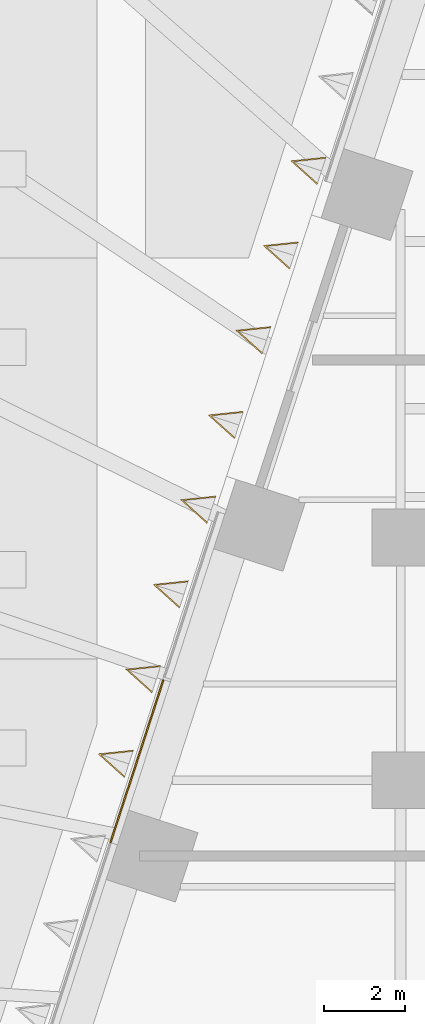
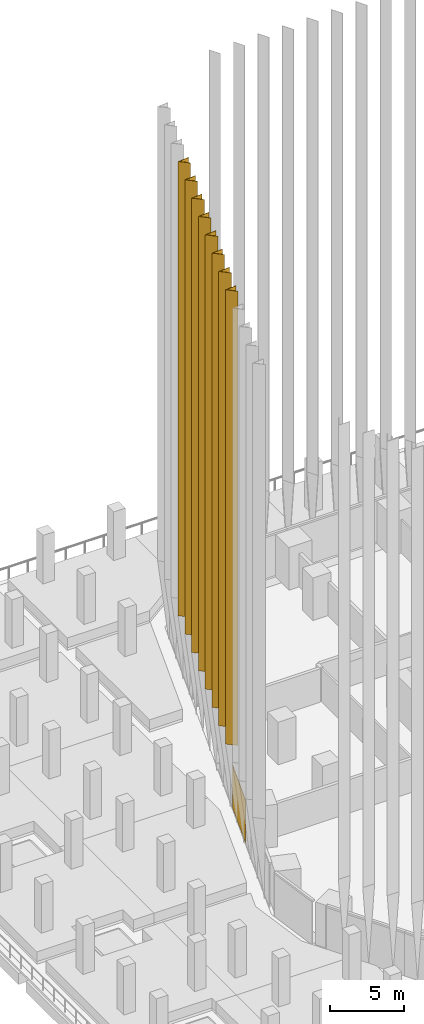
# One storey, part 34 of 51: 9 coverings, 1 element without a shape of its own.
"""IFC4 building model written with IfcOpenShell, lengths in metres."""

import ifcopenshell
import ifcopenshell.guid

model = None  # the IFC model being written
_history = None  # IfcOwnerHistory: only IFC2X3 demands one
_inside = {}  # id of a spatial element -> (the spatial element, [elements in it])
_under = {}  # id of a project, library or spatial element -> (it, [spatial elements below it])
_declared = {}  # id of a project -> (the project, [libraries it declares])
_typed = {}  # id of a type object -> (the type object, [elements of that type])
_made_of = {}  # id of a material, layer set ... -> (it, [elements and type objects made of it])


def new_model(schema):
    """Start an empty IFC model of exactly this schema.

    Asked for "IFC4X3", IfcOpenShell would pick the latest addendum, in which some entities
    have other attributes; the version numbers below select the first issue.
    IFC2X3 requires an IfcOwnerHistory on every rooted entity: one is made here for all.
    """
    global model, _history
    if schema == "IFC4X3":
        model = ifcopenshell.file(schema_version=(4, 3, 0, 0))
    else:
        model = ifcopenshell.file(schema=schema)
    _inside.clear()
    _under.clear()
    _declared.clear()
    _typed.clear()
    _made_of.clear()
    _history = None
    if model.schema == "IFC2X3":
        org = make("IfcOrganization", Name="unknown")
        user = make(
            "IfcPersonAndOrganization",
            ThePerson=make("IfcPerson", FamilyName="unknown"),
            TheOrganization=org,
        )
        app = make(
            "IfcApplication",
            ApplicationDeveloper=org,
            Version="unknown",
            ApplicationFullName="unknown",
            ApplicationIdentifier="unknown",
        )
        _history = make(
            "IfcOwnerHistory",
            OwningUser=user,
            OwningApplication=app,
            ChangeAction="ADDED",
            CreationDate=0,
        )
    return model


def make(cls, **values):
    """One entity of the class cls with the attributes given. An attribute that is None is left unset."""
    return model.create_entity(
        cls, **{name: value for name, value in values.items() if value is not None}
    )


def rooted(cls, **values):
    """An entity with a GlobalId (a new one), such as an element, a storey or a relation."""
    return make(cls, GlobalId=ifcopenshell.guid.new(), OwnerHistory=_history, **values)


def si_unit(unit_type, name, prefix=None):
    """IfcSIUnit, for example si_unit("LENGTHUNIT", "METRE", prefix="MILLI")."""
    return make("IfcSIUnit", UnitType=unit_type, Prefix=prefix, Name=name)


def assignment(units):
    """IfcUnitAssignment: the units of a project."""
    return None if units is None else make("IfcUnitAssignment", Units=units)


def point(xyz):
    """IfcCartesianPoint."""
    return None if xyz is None else make("IfcCartesianPoint", Coordinates=xyz)


def direction(xyz):
    """IfcDirection."""
    return None if xyz is None else make("IfcDirection", DirectionRatios=xyz)


def frame(location, z_axis=None, x_axis=None):
    """IfcAxis2Placement3D, a coordinate frame: its origin and axes. An axis left out is left unset."""
    return make(
        "IfcAxis2Placement3D",
        Location=point(location),
        Axis=direction(z_axis),
        RefDirection=direction(x_axis),
    )


def frame_2d(location, x_axis=None):
    """IfcAxis2Placement2D, a coordinate frame in the plane: its origin and x axis."""
    return make(
        "IfcAxis2Placement2D", Location=point(location), RefDirection=direction(x_axis)
    )


def origin():
    """The frame at (0, 0, 0) with its axes left unset."""
    return frame((0.0, 0.0, 0.0))


def origin_2d():
    """The frame at (0, 0) in the plane with its x axis left unset."""
    return frame_2d((0.0, 0.0))


def place(relative_to, where):
    """IfcLocalPlacement: puts the frame where relative to a parent placement (None: the world)."""
    return make(
        "IfcLocalPlacement", PlacementRelTo=relative_to, RelativePlacement=where
    )


def context(
    kind, dimensions, precision=None, world=None, true_north=None, identifier=None
):
    """IfcGeometricRepresentationContext, for example the 3D "Model" context."""
    return make(
        "IfcGeometricRepresentationContext",
        ContextIdentifier=identifier,
        ContextType=kind,
        CoordinateSpaceDimension=dimensions,
        Precision=precision,
        WorldCoordinateSystem=world,
        TrueNorth=true_north,
    )


def subcontext(parent, identifier, kind, view, scale=None):
    """IfcGeometricRepresentationSubContext, for example "Body" below "Model"."""
    return make(
        "IfcGeometricRepresentationSubContext",
        ContextIdentifier=identifier,
        ContextType=kind,
        ParentContext=parent,
        TargetScale=scale,
        TargetView=view,
    )


def project(units=None, contexts=None):
    """IfcProject with its units and contexts."""
    return rooted(
        "IfcProject",
        Name="project",
        RepresentationContexts=contexts,
        UnitsInContext=assignment(units),
    )


def spatial(cls, under=None, at=None, **own):
    """A site, building, storey or space (cls), placed at a placement, below another one or the project."""
    s = rooted(cls, ObjectPlacement=at, **own)
    if under is not None:
        _under.setdefault(under.id(), (under, []))[1].append(s)
    return s


def polyline(points):
    """IfcPolyline through the points."""
    return make("IfcPolyline", Points=[point(p) for p in points])


def profile(cls, at=None, kind="AREA", **sizes):
    """A parametric profile (cls). Its sizes go by their IFC names, for example OverallWidth=200.0."""
    return make(cls, ProfileType=kind, Position=at, **sizes)


def rectangle(**sizes):
    """IfcRectangleProfileDef."""
    return profile("IfcRectangleProfileDef", **sizes)


def outline(outer, holes=None, kind="AREA"):
    """IfcArbitraryClosedProfileDef: a profile drawn as a closed curve; with holes, ...WithVoids."""
    if holes is None:
        return make("IfcArbitraryClosedProfileDef", ProfileType=kind, OuterCurve=outer)
    return make(
        "IfcArbitraryProfileDefWithVoids",
        ProfileType=kind,
        OuterCurve=outer,
        InnerCurves=holes,
    )


def extrude(swept, where, along, depth):
    """IfcExtrudedAreaSolid: the profile swept, set in the frame where, extruded along a direction by depth."""
    return make(
        "IfcExtrudedAreaSolid",
        SweptArea=swept,
        Position=where,
        ExtrudedDirection=direction(along),
        Depth=depth,
    )


def shape(context_of_items, identifier, shape_type, items):
    """IfcShapeRepresentation: the items that make up one representation, for example the "Body"."""
    return make(
        "IfcShapeRepresentation",
        ContextOfItems=context_of_items,
        RepresentationIdentifier=identifier,
        RepresentationType=shape_type,
        Items=items,
    )


def material(Name=None, Category=None):
    """IfcMaterial."""
    return make("IfcMaterial", Name=Name, Category=Category)


def layer(
    of_material, thickness, ventilated=None, Name=None, Category=None, Priority=None
):
    """IfcMaterialLayer: one layer of a wall or slab, of a material (None: an air gap)."""
    return make(
        "IfcMaterialLayer",
        Material=of_material,
        LayerThickness=thickness,
        IsVentilated=ventilated,
        Name=Name,
        Category=Category,
        Priority=Priority,
    )


def layer_set(layers, Name=None):
    """IfcMaterialLayerSet."""
    return make("IfcMaterialLayerSet", MaterialLayers=layers, LayerSetName=Name)


def material_profile(
    of_material, cross_section, Name=None, Category=None, Priority=None
):
    """IfcMaterialProfile: a cross section and its material."""
    return make(
        "IfcMaterialProfile",
        Name=Name,
        Material=of_material,
        Profile=cross_section,
        Priority=Priority,
        Category=Category,
    )


def profile_set(profiles, Name=None, composite=None):
    """IfcMaterialProfileSet."""
    return make(
        "IfcMaterialProfileSet",
        Name=Name,
        MaterialProfiles=profiles,
        CompositeProfile=composite,
    )


def made_of(thing, what):
    """Note that an element or type object is made of a material, layer set ...; save() writes the relation."""
    if what is not None:
        _made_of.setdefault(what.id(), (what, []))[1].append(thing)
    return thing


def type_object(cls, material=None, **own):
    """A type object (cls), such as IfcWallType, which elements share."""
    return made_of(rooted(cls, **own), material)


def element(
    cls,
    number,
    at=None,
    inside=None,
    cuts=None,
    type_object=None,
    material=None,
    context=None,
    identifier="Body",
    shape_type=None,
    held_by="IfcProductDefinitionShape",
    body=None,
    shapes=None,
    **own,
):
    """One element of the class cls, such as IfcWall. Its Tag is "e" and its number.

    at: its placement. inside: the storey or other place that contains it. cuts: it is an
    opening in that element (IfcRelVoidsElement). A single representation is given by context,
    identifier, shape_type and body (its items); several are given by shapes. held_by: the class
    of the entity that holds the representations. save() writes the other relations.
    """
    e = rooted(cls, Tag="e%d" % number, ObjectPlacement=at, **own)
    if body is not None:
        shapes = [shape(context, identifier, shape_type, body)]
    if shapes is not None:
        e.Representation = make(held_by, Representations=shapes)
    if inside is not None:
        _inside.setdefault(inside.id(), (inside, []))[1].append(e)
    if cuts is not None:
        rooted(
            "IfcRelVoidsElement", RelatingBuildingElement=cuts, RelatedOpeningElement=e
        )
    if type_object is not None:
        _typed.setdefault(type_object.id(), (type_object, []))[1].append(e)
    return made_of(e, material)


def aggregate(whole, parts):
    """IfcRelAggregates: a whole, such as a stair, and the parts it consists of."""
    return rooted("IfcRelAggregates", RelatingObject=whole, RelatedObjects=parts)


def save(model, path):
    """Write the relations noted so far, then the file.

    IfcRelAggregates (storeys below a building ...), IfcRelContainedInSpatialStructure (elements
    in a storey), IfcRelDefinesByType, IfcRelAssociatesMaterial and IfcRelDeclares: one each for
    every whole, place, type object, material and project.
    """
    for whole, parts in _under.values():
        aggregate(whole, parts)
    for where, things in _inside.values():
        rooted(
            "IfcRelContainedInSpatialStructure",
            RelatedElements=things,
            RelatingStructure=where,
        )
    for kind, things in _typed.values():
        rooted("IfcRelDefinesByType", RelatedObjects=things, RelatingType=kind)
    for what, things in _made_of.values():
        rooted("IfcRelAssociatesMaterial", RelatedObjects=things, RelatingMaterial=what)
    for by, libraries in _declared.values():
        rooted("IfcRelDeclares", RelatingContext=by, RelatedDefinitions=libraries)
    model.write(path)


model = new_model("IFC4")

# Units and contexts
model_context = context("Model", 3, precision=1e-05, world=origin(), true_north=direction((0.0, 1.0)))
body_context = subcontext(model_context, "Body", "Model", "MODEL_VIEW")
ifc_project = project(units=[si_unit("LENGTHUNIT", "METRE"), si_unit("AREAUNIT", "SQUARE_METRE"), si_unit("VOLUMEUNIT", "CUBIC_METRE"), si_unit("PLANEANGLEUNIT", "RADIAN"), si_unit("MASSUNIT", "GRAM", prefix="KILO")], contexts=[model_context])

# Site, building, storey
site_placement = place(None, origin())
site = spatial("IfcSite", under=ifc_project, at=site_placement, CompositionType="ELEMENT")
building_placement = place(site_placement, origin())
building = spatial("IfcBuilding", under=site, at=building_placement, Name="Isthmus Gate Tower", CompositionType="ELEMENT")
storey_placement = place(building_placement, frame((0.0, 0.0, 36.0)))
storey = spatial("IfcBuildingStorey", under=building, at=storey_placement, Name="L06", CompositionType="ELEMENT", Elevation=36.0)

# Curtain wall, covering
ifc_material_1 = material(Name="Aluminium, pale champagne anodised", Category="aluminium")
ifc_layer_1 = layer(ifc_material_1, 0.199951171875)
ifc_layer_set_1 = layer_set([ifc_layer_1], Name="CW-1 UNITISED CURTAIN WALL 200 DEEP")
curtain_wall_type = type_object("IfcCurtainWallType", Name="CW-1 UNITISED CURTAIN WALL 200 DEEP", PredefinedType="NOTDEFINED", material=ifc_layer_set_1)
curtain_wall_placement = place(storey_placement, origin())
curtain_wall = element("IfcCurtainWall", 1, at=curtain_wall_placement, inside=storey, type_object=curtain_wall_type, Name="CW-1 NW L06", PredefinedType="NOTDEFINED")
ifc_material_2 = material(Name="Aluminium composite panel, pale champagne anodised", Category="aluminium")
ifc_layer_2 = layer(ifc_material_2, 0.0400390625)
ifc_layer_set_2 = layer_set([ifc_layer_2], Name="CW-1 PALE METAL PANEL 40")
covering_type_1 = type_object("IfcCoveringType", Name="CW-1 PALE METAL PANEL 40", PredefinedType="CLADDING", material=ifc_layer_set_2)
covering_placement = place(storey_placement, frame((-30.5087890625, 7.9775390625, 0.0), z_axis=(0.0, 0.0, 1.0), x_axis=(-0.309016994375, -0.951056516295, 0.0)))
covering = element("IfcCovering", 2, at=covering_placement, type_object=covering_type_1, Name="CW-1 pale metal panel", PredefinedType="CLADDING", context=body_context, shape_type="SweptSolid", body=[
    extrude(rectangle(XDim=4.234619140625, YDim=0.0400390625, at=origin_2d()), origin(), (0.0, 0.0, 1.0), 3.5),
])
aggregate(curtain_wall, [covering])

# Coverings
ifc_material_3 = material(Name="Structural steel ASTM A572 Gr 50, white paint system", Category="steel")
ifc_material_profile = material_profile(ifc_material_3, outline(polyline([(0.0, -0.356201171875), (0.800048828125, 0.0), (0.0, 0.356201171875), (0.0, 0.3232421875), (0.726318359375, 0.0), (0.0, -0.3232421875), (0.0, -0.356201171875)])), Name="V800")
ifc_profile_set = profile_set([ifc_material_profile], Name="Structural steel ASTM A572 Gr 50, white paint system")
covering_type_2 = type_object("IfcCoveringType", Name="FIN V 800 DEEP", PredefinedType="CLADDING", material=ifc_profile_set)
for number, where, z_axis, x_axis, name in (
    (3, (-25.951171875, 22.554443359375, 6.89990234375), (0.0, 0.0, 1.0), (-0.951056516295, 0.309016994375, 0.0), "FIN"),
    (4, (-26.630859375, 20.462158203125, 6.89990234375), (0.0, 0.0, 1.0), (-0.951056516295, 0.309016994375, 0.0), "FIN"),
    (5, (-27.310791015625, 18.369873046875, 6.89990234375), (0.0, 0.0, 1.0), (-0.951056516295, 0.309016994375, 0.0), "FIN"),
    (6, (-27.99072265625, 16.277587890625, 6.89990234375), (0.0, 0.0, 1.0), (-0.951056516295, 0.309016994375, 0.0), "FIN"),
    (7, (-28.67041015625, 14.185302734375, 6.89990234375), (0.0, 0.0, 1.0), (-0.951056516295, 0.309016994375, 0.0), "FIN"),
    (8, (-29.350341796875, 12.0927734375, 6.89990234375), (0.0, 0.0, 1.0), (-0.951056516295, 0.309016994375, 0.0), "FIN"),
    (9, (-30.0302734375, 10.00048828125, 6.89990234375), (0.0, 0.0, 1.0), (-0.951056516295, 0.309016994375, 0.0), "FIN"),
    (10, (-30.7099609375, 7.908203125, 6.89990234375), (0.0, 0.0, 1.0), (-0.951056516295, 0.309016994375, 0.0), "FIN"),
):
    element("IfcCovering", number, at=place(storey_placement, frame(where, z_axis=z_axis, x_axis=x_axis)), inside=storey, type_object=covering_type_2, Name=name, ObjectType="FIN", PredefinedType="CLADDING", context=body_context, shape_type="SweptSolid", body=[
        extrude(outline(polyline([(0.0, -0.356201171875), (0.800048828125, 0.0), (0.0, 0.356201171875), (0.0, 0.3232421875), (0.726318359375, 0.0), (0.0, -0.3232421875), (0.0, -0.356201171875)])), origin(), (0.0, 0.0, 1.0), 37.35009765625),
    ])

save(model, "model.ifc")
